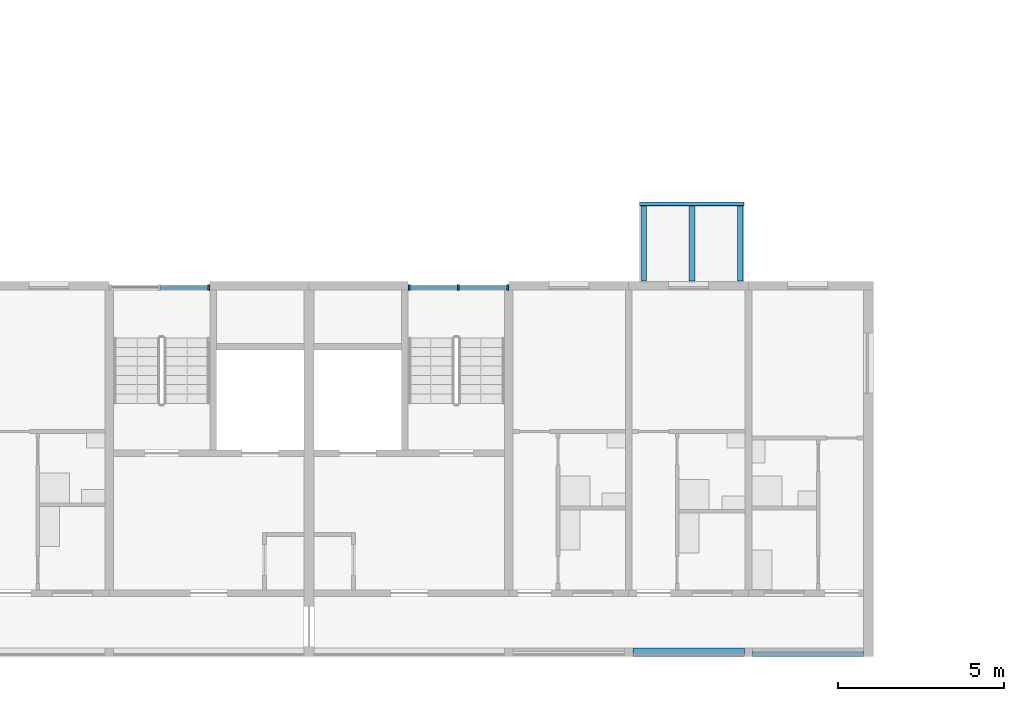
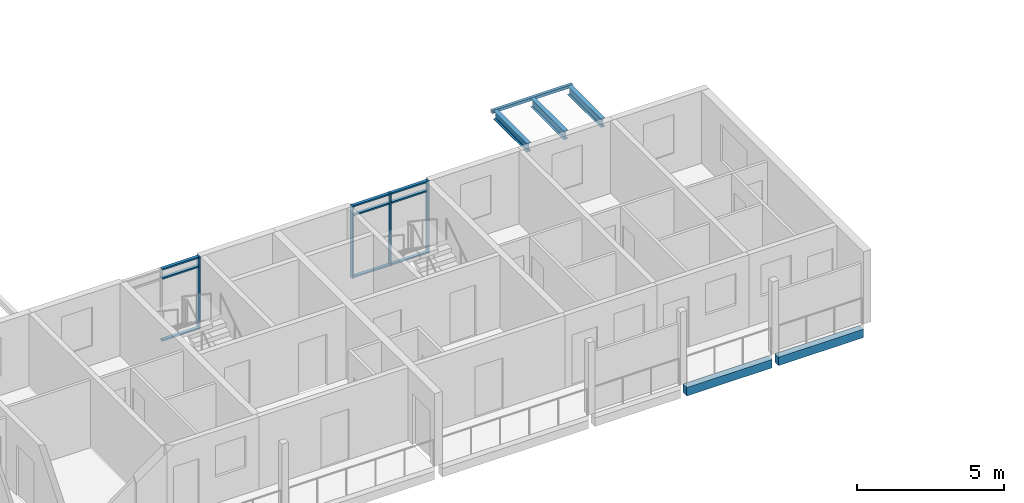
# One storey, part 10 of 94: 13 members, 6 beams, 2 elements without a shape of their own.
"""IFC4 building model written with IfcOpenShell, lengths in metres."""

from ifc_helpers import new_model, si_unit, direction, frame, origin, origin_2d, place, context, subcontext, project, spatial, rectangle, hollow_rectangle, i_section, extrude, material, material_profile, profile_set, type_object, element, aggregate, save


model = new_model("IFC4")

# Units and contexts
model_context = context("Model", 3, precision=1e-05, world=origin(), true_north=direction((0.0, 1.0)))
body_context = subcontext(model_context, "Body", "Model", "MODEL_VIEW")
ifc_project = project(units=[si_unit("LENGTHUNIT", "METRE"), si_unit("AREAUNIT", "SQUARE_METRE"), si_unit("VOLUMEUNIT", "CUBIC_METRE"), si_unit("PLANEANGLEUNIT", "RADIAN"), si_unit("MASSUNIT", "GRAM", prefix="KILO")], contexts=[model_context])

# Site, building, storey
site_placement = place(None, origin())
site = spatial("IfcSite", under=ifc_project, at=site_placement, CompositionType="ELEMENT")
building_placement = place(site_placement, origin())
building = spatial("IfcBuilding", under=site, at=building_placement, Name="Ridgestep Commons", CompositionType="ELEMENT")
storey_placement = place(building_placement, frame((0.0, 0.0, 21.0)))
storey = spatial("IfcBuildingStorey", under=building, at=storey_placement, Name="L07", CompositionType="ELEMENT", Elevation=21.0)

# Beams
ifc_material_1 = material(Name="Precast concrete C40/50", Category="concrete")
ifc_material_profile_1 = material_profile(ifc_material_1, rectangle(XDim=0.25, YDim=0.35009765625, at=origin_2d()), Name="PC 250x350")
ifc_profile_set_1 = profile_set([ifc_material_profile_1], Name="Precast concrete C40/50")
beam_type_1 = type_object("IfcBeamType", Name="Loggia edge beam 250 x 350", PredefinedType="SPANDREL", material=ifc_profile_set_1)
beam_1_placement = place(storey_placement, frame((105.72509765625, 11.875, -0.375), z_axis=(1.0, 0.0, 0.0), x_axis=(0.0, 1.0, 0.0)))
element("IfcBeam", 1, at=beam_1_placement, inside=storey, type_object=beam_type_1, Name="Loggia edge beam A6T2 L07", PredefinedType="SPANDREL", context=body_context, shape_type="SweptSolid", body=[
    extrude(rectangle(XDim=0.25, YDim=0.35009765625, at=origin_2d()), origin(), (0.0, 0.0, 1.0), 3.349853515625),
])
beam_2_placement = place(storey_placement, frame((109.324951171875, 11.875, -0.375), z_axis=(1.0, 0.0, 0.0), x_axis=(0.0, 1.0, 0.0)))
element("IfcBeam", 2, at=beam_2_placement, inside=storey, type_object=beam_type_1, Name="Loggia edge beam A6T1 L07", PredefinedType="SPANDREL", context=body_context, shape_type="SweptSolid", body=[
    extrude(rectangle(XDim=0.25, YDim=0.35009765625, at=origin_2d()), origin(), (0.0, 0.0, 1.0), 3.324951171875),
])

# Curtain wall, member
ifc_material_2 = material(Name="Aluminium 6063-T6 and glass", Category="aluminium")
curtain_wall_type = type_object("IfcCurtainWallType", Name="Curtain wall stair strip", PredefinedType="NOTDEFINED", material=ifc_material_2)
curtain_wall_1_placement = place(storey_placement, origin())
curtain_wall_1 = element("IfcCurtainWall", 3, at=curtain_wall_1_placement, inside=storey, type_object=curtain_wall_type, Name="Curtain wall A5C level 07", PredefinedType="NOTDEFINED")
ifc_material_3 = material(Name="Aluminium 6063-T6", Category="aluminium")
ifc_material_profile_2 = material_profile(ifc_material_3, rectangle(XDim=0.159912109375, YDim=0.06005859375, at=origin_2d()), Name="Mullion 60 x 160")
ifc_profile_set_2 = profile_set([ifc_material_profile_2], Name="Aluminium 6063-T6")
member_type_1 = type_object("IfcMemberType", Name="Mullion 60 x 160", PredefinedType="MULLION", material=ifc_profile_set_2)
member_1_placement = place(storey_placement, frame((92.9951171875, 22.830078125, 0.0), z_axis=(0.0, 0.0, 1.0), x_axis=(0.0, 1.0, 0.0)))
member_1 = element("IfcMember", 4, at=member_1_placement, type_object=member_type_1, Name="CW1 mullion 3", PredefinedType="MULLION", context=body_context, shape_type="SweptSolid", body=[
    extrude(rectangle(XDim=0.159912109375, YDim=0.06005859375, at=origin_2d()), origin(), (0.0, 0.0, 1.0), 3.0),
])

# Curtain wall, members
curtain_wall_2_placement = place(storey_placement, origin())
curtain_wall_2 = element("IfcCurtainWall", 5, at=curtain_wall_2_placement, inside=storey, type_object=curtain_wall_type, Name="Curtain wall A6C level 07", PredefinedType="NOTDEFINED")
member_2_placement = place(storey_placement, frame((99.0048828125, 22.830078125, 0.0), z_axis=(0.0, 0.0, 1.0), x_axis=(0.0, 1.0, 0.0)))
member_2 = element("IfcMember", 6, at=member_2_placement, type_object=member_type_1, Name="CW1 mullion 1", PredefinedType="MULLION", context=body_context, shape_type="SweptSolid", body=[
    extrude(rectangle(XDim=0.159912109375, YDim=0.06005859375, at=origin_2d()), origin(), (0.0, 0.0, 1.0), 3.0),
])
member_3_placement = place(storey_placement, frame((100.487548828125, 22.830078125, 0.0), z_axis=(0.0, 0.0, 1.0), x_axis=(0.0, 1.0, 0.0)))
member_3 = element("IfcMember", 7, at=member_3_placement, type_object=member_type_1, Name="CW1 mullion 2", PredefinedType="MULLION", context=body_context, shape_type="SweptSolid", body=[
    extrude(rectangle(XDim=0.159912109375, YDim=0.06005859375, at=origin_2d()), origin(), (0.0, 0.0, 1.0), 3.0),
])
member_4_placement = place(storey_placement, frame((101.969970703125, 22.830078125, 0.0), z_axis=(0.0, 0.0, 1.0), x_axis=(0.0, 1.0, 0.0)))
member_4 = element("IfcMember", 8, at=member_4_placement, type_object=member_type_1, Name="CW1 mullion 3", PredefinedType="MULLION", context=body_context, shape_type="SweptSolid", body=[
    extrude(rectangle(XDim=0.159912109375, YDim=0.06005859375, at=origin_2d()), origin(), (0.0, 0.0, 1.0), 3.0),
])

# Member
ifc_material_4 = material(Name="Aluminium 6063-T6", Category="aluminium")
ifc_material_profile_3 = material_profile(ifc_material_4, rectangle(XDim=0.1201171875, YDim=0.06005859375, at=origin_2d()), Name="Transom 60 x 120")
ifc_profile_set_3 = profile_set([ifc_material_profile_3], Name="Aluminium 6063-T6")
member_type_2 = type_object("IfcMemberType", Name="Transom 60 x 120", PredefinedType="USERDEFINED", material=ifc_profile_set_3)
member_5_placement = place(storey_placement, frame((91.54248046875, 22.830078125, 0.030029296875), z_axis=(1.0, 0.0, 0.0), x_axis=(0.0, 1.0, 0.0)))
member_5 = element("IfcMember", 9, at=member_5_placement, type_object=member_type_2, Name="CW1 transom 2.1", ObjectType="TRANSOM", PredefinedType="USERDEFINED", context=body_context, shape_type="SweptSolid", body=[
    extrude(rectangle(XDim=0.1201171875, YDim=0.06005859375, at=origin_2d()), origin(), (0.0, 0.0, 1.0), 1.422607421875),
])

member_6_placement = place(storey_placement, frame((91.54248046875, 22.830078125, 2.590087890625), z_axis=(1.0, 0.0, 0.0), x_axis=(0.0, 1.0, 0.0)))
member_6 = element("IfcMember", 10, at=member_6_placement, type_object=member_type_2, Name="CW1 transom 2.2", ObjectType="TRANSOM", PredefinedType="USERDEFINED", context=body_context, shape_type="SweptSolid", body=[
    extrude(rectangle(XDim=0.1201171875, YDim=0.06005859375, at=origin_2d()), origin(), (0.0, 0.0, 1.0), 1.422607421875),
])

member_7_placement = place(storey_placement, frame((91.54248046875, 22.830078125, 2.969970703125), z_axis=(1.0, 0.0, 0.0), x_axis=(0.0, 1.0, 0.0)))
member_7 = element("IfcMember", 11, at=member_7_placement, type_object=member_type_2, Name="CW1 transom 2.3", ObjectType="TRANSOM", PredefinedType="USERDEFINED", context=body_context, shape_type="SweptSolid", body=[
    extrude(rectangle(XDim=0.1201171875, YDim=0.06005859375, at=origin_2d()), origin(), (0.0, 0.0, 1.0), 1.422607421875),
])

aggregate(curtain_wall_1, [member_1, member_5, member_6, member_7])

member_8_placement = place(storey_placement, frame((99.034912109375, 22.830078125, 0.030029296875), z_axis=(1.0, 0.0, 0.0), x_axis=(0.0, 1.0, 0.0)))
member_8 = element("IfcMember", 12, at=member_8_placement, type_object=member_type_2, Name="CW1 transom 1.1", ObjectType="TRANSOM", PredefinedType="USERDEFINED", context=body_context, shape_type="SweptSolid", body=[
    extrude(rectangle(XDim=0.1201171875, YDim=0.06005859375, at=origin_2d()), origin(), (0.0, 0.0, 1.0), 1.422607421875),
])

member_9_placement = place(storey_placement, frame((99.034912109375, 22.830078125, 2.590087890625), z_axis=(1.0, 0.0, 0.0), x_axis=(0.0, 1.0, 0.0)))
member_9 = element("IfcMember", 13, at=member_9_placement, type_object=member_type_2, Name="CW1 transom 1.2", ObjectType="TRANSOM", PredefinedType="USERDEFINED", context=body_context, shape_type="SweptSolid", body=[
    extrude(rectangle(XDim=0.1201171875, YDim=0.06005859375, at=origin_2d()), origin(), (0.0, 0.0, 1.0), 1.422607421875),
])

member_10_placement = place(storey_placement, frame((99.034912109375, 22.830078125, 2.969970703125), z_axis=(1.0, 0.0, 0.0), x_axis=(0.0, 1.0, 0.0)))
member_10 = element("IfcMember", 14, at=member_10_placement, type_object=member_type_2, Name="CW1 transom 1.3", ObjectType="TRANSOM", PredefinedType="USERDEFINED", context=body_context, shape_type="SweptSolid", body=[
    extrude(rectangle(XDim=0.1201171875, YDim=0.06005859375, at=origin_2d()), origin(), (0.0, 0.0, 1.0), 1.422607421875),
])

member_11_placement = place(storey_placement, frame((100.517578125, 22.830078125, 0.030029296875), z_axis=(1.0, 0.0, 0.0), x_axis=(0.0, 1.0, 0.0)))
member_11 = element("IfcMember", 15, at=member_11_placement, type_object=member_type_2, Name="CW1 transom 2.1", ObjectType="TRANSOM", PredefinedType="USERDEFINED", context=body_context, shape_type="SweptSolid", body=[
    extrude(rectangle(XDim=0.1201171875, YDim=0.06005859375, at=origin_2d()), origin(), (0.0, 0.0, 1.0), 1.42236328125),
])

member_12_placement = place(storey_placement, frame((100.517578125, 22.830078125, 2.590087890625), z_axis=(1.0, 0.0, 0.0), x_axis=(0.0, 1.0, 0.0)))
member_12 = element("IfcMember", 16, at=member_12_placement, type_object=member_type_2, Name="CW1 transom 2.2", ObjectType="TRANSOM", PredefinedType="USERDEFINED", context=body_context, shape_type="SweptSolid", body=[
    extrude(rectangle(XDim=0.1201171875, YDim=0.06005859375, at=origin_2d()), origin(), (0.0, 0.0, 1.0), 1.42236328125),
])

member_13_placement = place(storey_placement, frame((100.517578125, 22.830078125, 2.969970703125), z_axis=(1.0, 0.0, 0.0), x_axis=(0.0, 1.0, 0.0)))
member_13 = element("IfcMember", 17, at=member_13_placement, type_object=member_type_2, Name="CW1 transom 2.3", ObjectType="TRANSOM", PredefinedType="USERDEFINED", context=body_context, shape_type="SweptSolid", body=[
    extrude(rectangle(XDim=0.1201171875, YDim=0.06005859375, at=origin_2d()), origin(), (0.0, 0.0, 1.0), 1.42236328125),
])

aggregate(curtain_wall_2, [member_2, member_3, member_4, member_8, member_9, member_10, member_11, member_12, member_13])

# Beams
ifc_material_5 = material(Name="Weathering steel S355J2W", Category="steel")
ifc_material_profile_4 = material_profile(ifc_material_5, i_section(OverallWidth=0.171142578125, OverallDepth=0.351318359375, WebThickness=0.007080078125, FlangeThickness=0.009765625, FilletRadius=0.01025390625, at=origin_2d()), Name="UB 356x171x45")
ifc_profile_set_4 = profile_set([ifc_material_profile_4], Name="Weathering steel S355J2W")
beam_type_2 = type_object("IfcBeamType", Name="Tray arm UB 356x171x45", PredefinedType="BEAM", material=ifc_profile_set_4)
for number, where, z_axis, x_axis, name in (
    (18, (106.050048828125, 23.014892578125, 2.814208984375), (0.0, 1.0, 0.0), (-1.0, 0.0, 0.0), "Tray arm A6T2-08.1"),
    (19, (107.5, 23.014892578125, 2.814208984375), (0.0, 1.0, 0.0), (-1.0, 0.0, 0.0), "Tray arm A6T2-08.2"),
    (20, (108.949951171875, 23.014892578125, 2.814208984375), (0.0, 1.0, 0.0), (-1.0, 0.0, 0.0), "Tray arm A6T2-08.3"),
):
    element("IfcBeam", number, at=place(storey_placement, frame(where, z_axis=z_axis, x_axis=x_axis)), inside=storey, type_object=beam_type_2, Name=name, PredefinedType="BEAM", context=body_context, shape_type="SweptSolid", body=[
        extrude(i_section(OverallWidth=0.171142578125, OverallDepth=0.351318359375, WebThickness=0.007080078125, FlangeThickness=0.009765625, FilletRadius=0.01025390625, at=origin_2d()), origin(), (0.0, 0.0, 1.0), 2.26513671875),
    ])
ifc_material_6 = material(Name="Weathering steel S355J2W", Category="steel")
ifc_material_profile_5 = material_profile(ifc_material_6, hollow_rectangle(XDim=0.1201171875, YDim=0.1201171875, WallThickness=0.00634765625, InnerFilletRadius=0.00634765625, OuterFilletRadius=0.009521484375, at=origin_2d()), Name="SHS 120x120x6.3")
ifc_profile_set_5 = profile_set([ifc_material_profile_5], Name="Weathering steel S355J2W")
beam_type_3 = type_object("IfcBeamType", Name="Tray edge member SHS 120x120x6.3", PredefinedType="BEAM", material=ifc_profile_set_5)
beam_3_placement = place(storey_placement, frame((105.929931640625, 25.340087890625, 2.929931640625), z_axis=(1.0, 0.0, 0.0), x_axis=(0.0, 0.0, 1.0)))
element("IfcBeam", 21, at=beam_3_placement, inside=storey, type_object=beam_type_3, Name="Tray edge member A6T2-08", PredefinedType="BEAM", context=body_context, shape_type="SweptSolid", body=[
    extrude(hollow_rectangle(XDim=0.1201171875, YDim=0.1201171875, WallThickness=0.00634765625, InnerFilletRadius=0.00634765625, OuterFilletRadius=0.009521484375, at=origin_2d()), origin(), (0.0, 0.0, 1.0), 3.14013671875),
])

save(model, "model.ifc")
